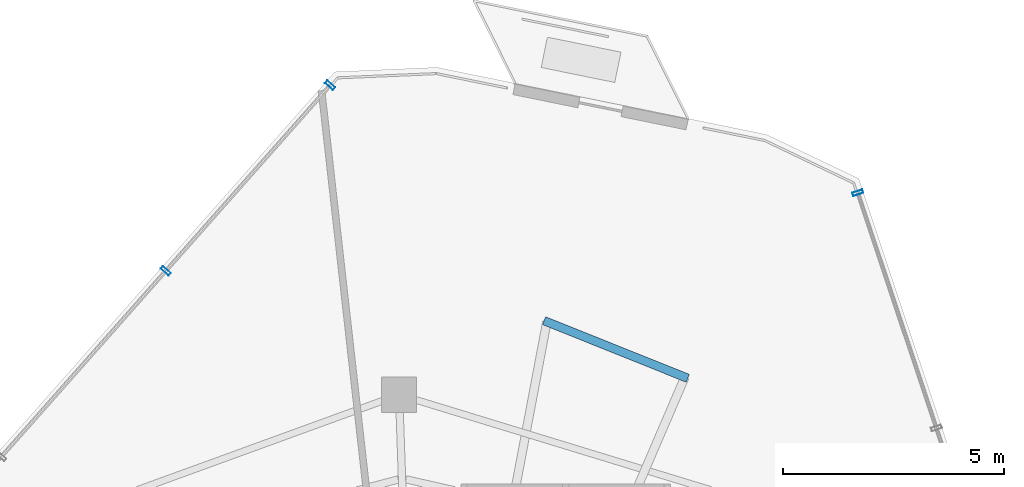
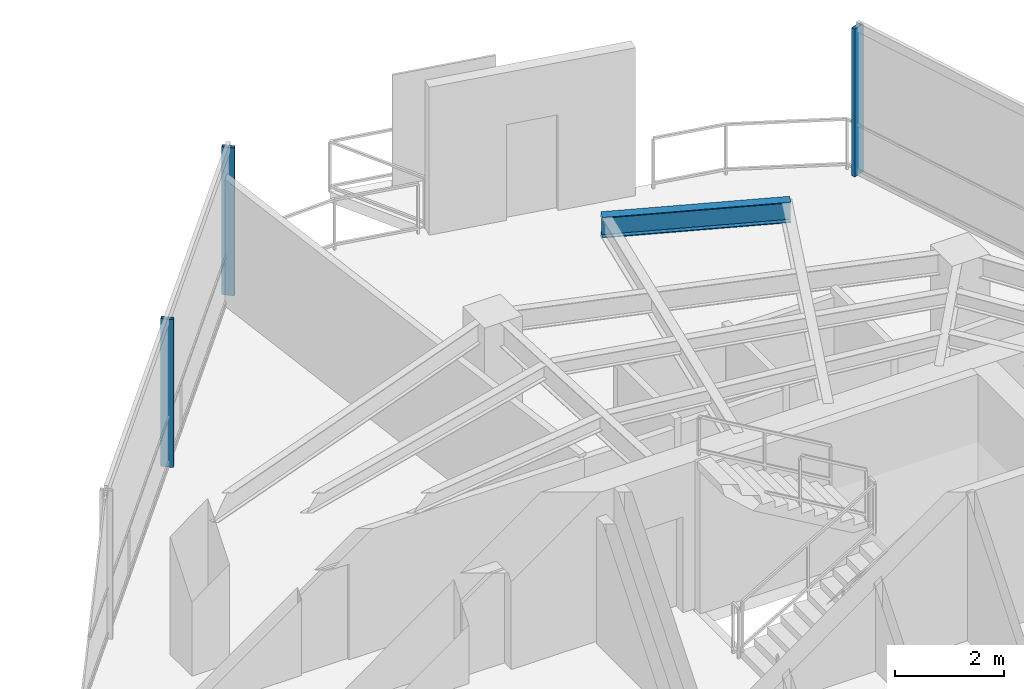
# One storey, part 13 of 18: 3 members, 1 beam, 2 elements without a shape of their own.
"""IFC4 building model written with IfcOpenShell, lengths in metres."""

from ifc_helpers import new_model, si_unit, direction, frame, origin, origin_2d, place, context, subcontext, project, spatial, hollow_rectangle, i_section, extrude, material, layer, layer_set, material_profile, profile_set, type_object, element, aggregate, save


model = new_model("IFC4")

# Units and contexts
model_context = context("Model", 3, precision=1e-05, world=origin(), true_north=direction((0.0, 1.0)))
body_context = subcontext(model_context, "Body", "Model", "MODEL_VIEW")
ifc_project = project(units=[si_unit("LENGTHUNIT", "METRE"), si_unit("AREAUNIT", "SQUARE_METRE"), si_unit("VOLUMEUNIT", "CUBIC_METRE"), si_unit("PLANEANGLEUNIT", "RADIAN"), si_unit("MASSUNIT", "GRAM", prefix="KILO")], contexts=[model_context])

# Site, building, storey
site_placement = place(None, origin())
site = spatial("IfcSite", under=ifc_project, at=site_placement, CompositionType="ELEMENT")
building_placement = place(site_placement, origin())
building = spatial("IfcBuilding", under=site, at=building_placement, Name="Qarnah Convention Tower", CompositionType="ELEMENT")
storey_placement = place(building_placement, frame((0.0, 0.0, 249.89990234375)))
storey = spatial("IfcBuildingStorey", under=building, at=storey_placement, Name="L67", CompositionType="ELEMENT", Elevation=249.89990234375)

# Beam
ifc_material_1 = material(Name="Structural steel S355JR", Category="steel")
ifc_material_profile_1 = material_profile(ifc_material_1, i_section(OverallWidth=0.19189453125, OverallDepth=0.464111328125, WebThickness=0.010986328125, FlangeThickness=0.01806640625, at=origin_2d()), Name="W460X89")
ifc_profile_set_1 = profile_set([ifc_material_profile_1], Name="Structural steel S355JR")
beam_type = type_object("IfcBeamType", Name="BM-CANT-W460A", PredefinedType="BEAM", material=ifc_profile_set_1)
beam_placement = place(storey_placement, frame((40.009033203125, 41.6201171875, 3.088134765625), z_axis=(0.928063247738, -0.372422620417, 0.0), x_axis=(0.372422620417, 0.928063247738, 0.0)))
element("IfcBeam", 1, at=beam_placement, inside=storey, type_object=beam_type, Name="L67 spandrel BM-L67-CTIE-01", PredefinedType="SPANDREL", context=body_context, shape_type="SweptSolid", body=[
    extrude(i_section(OverallWidth=0.19189453125, OverallDepth=0.464111328125, WebThickness=0.010986328125, FlangeThickness=0.01806640625, at=origin_2d()), origin(), (0.0, 0.0, 1.0), 3.507080078125),
])

# Curtain wall, member
ifc_material_2 = material(Name="Tempered Low-E dark glass", Category="glass")
ifc_layer = layer(ifc_material_2, 0.176025390625)
ifc_layer_set = layer_set([ifc_layer], Name="Tempered Low-E dark glass")
curtain_wall_type = type_object("IfcCurtainWallType", Name="CWS-05", PredefinedType="NOTDEFINED", material=ifc_layer_set)
curtain_wall_1_placement = place(storey_placement, origin())
curtain_wall_1 = element("IfcCurtainWall", 2, at=curtain_wall_1_placement, inside=storey, type_object=curtain_wall_type, Name="L67 unitised curtain wall CW-L67-F1", PredefinedType="NOTDEFINED")
ifc_material_3 = material(Name="Black anodised aluminium", Category="aluminium")
ifc_material_profile_2 = material_profile(ifc_material_3, hollow_rectangle(XDim=0.080078125, YDim=0.239990234375, WallThickness=0.0048828125, at=origin_2d()), Name="MUL-80X240")
ifc_profile_set_2 = profile_set([ifc_material_profile_2], Name="Black anodised aluminium")
member_type = type_object("IfcMemberType", Name="MUL-T5", PredefinedType="MULLION", material=ifc_profile_set_2)
member_1_placement = place(storey_placement, frame((47.114990234375, 44.514892578125, 0.0), z_axis=(0.0, 0.0, 1.0), x_axis=(0.316986289479, -0.948430119873, 0.0)))
member_1 = element("IfcMember", 3, at=member_1_placement, type_object=member_type, Name="CW-L67-F1 mullion 1", PredefinedType="MULLION", context=body_context, shape_type="SweptSolid", body=[
    extrude(hollow_rectangle(XDim=0.080078125, YDim=0.239990234375, WallThickness=0.0048828125, at=origin_2d()), origin(), (0.0, 0.0, 1.0), 3.320068359375),
])
aggregate(curtain_wall_1, [member_1])

# Curtain wall, members
curtain_wall_2_placement = place(storey_placement, origin())
curtain_wall_2 = element("IfcCurtainWall", 4, at=curtain_wall_2_placement, inside=storey, type_object=curtain_wall_type, Name="L67 unitised curtain wall CW-L67-F2", PredefinedType="NOTDEFINED")
member_2_placement = place(storey_placement, frame((31.44287109375, 42.746826171875, 0.0), z_axis=(0.0, 0.0, 1.0), x_axis=(0.662883533537, 0.748722526017, 0.0)))
member_2 = element("IfcMember", 5, at=member_2_placement, type_object=member_type, Name="CW-L67-F2 mullion 5", PredefinedType="MULLION", context=body_context, shape_type="SweptSolid", body=[
    extrude(hollow_rectangle(XDim=0.080078125, YDim=0.239990234375, WallThickness=0.0048828125, at=origin_2d()), origin(), (0.0, 0.0, 1.0), 3.320068359375),
])
member_3_placement = place(storey_placement, frame((35.1650390625, 46.950927734375, 0.0), z_axis=(0.0, 0.0, 1.0), x_axis=(0.662883533537, 0.748722526017, 0.0)))
member_3 = element("IfcMember", 6, at=member_3_placement, type_object=member_type, Name="CW-L67-F2 mullion 6", PredefinedType="MULLION", context=body_context, shape_type="SweptSolid", body=[
    extrude(hollow_rectangle(XDim=0.080078125, YDim=0.239990234375, WallThickness=0.0048828125, at=origin_2d()), origin(), (0.0, 0.0, 1.0), 3.320068359375),
])
aggregate(curtain_wall_2, [member_2, member_3])

save(model, "model.ifc")
